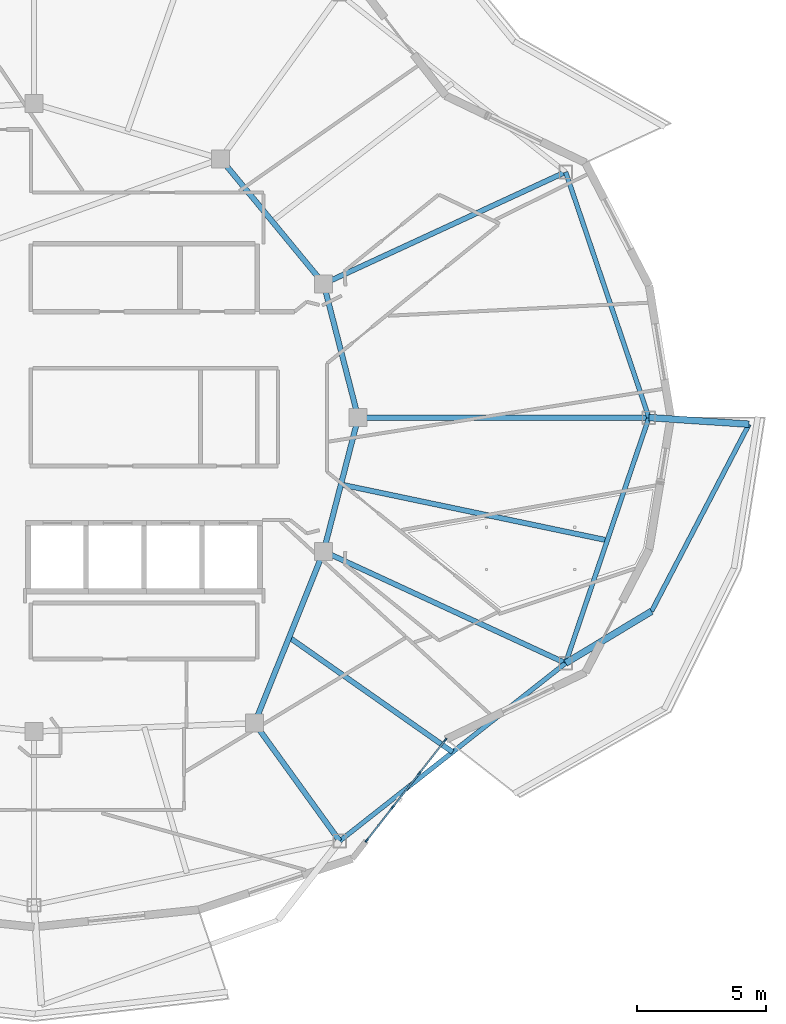
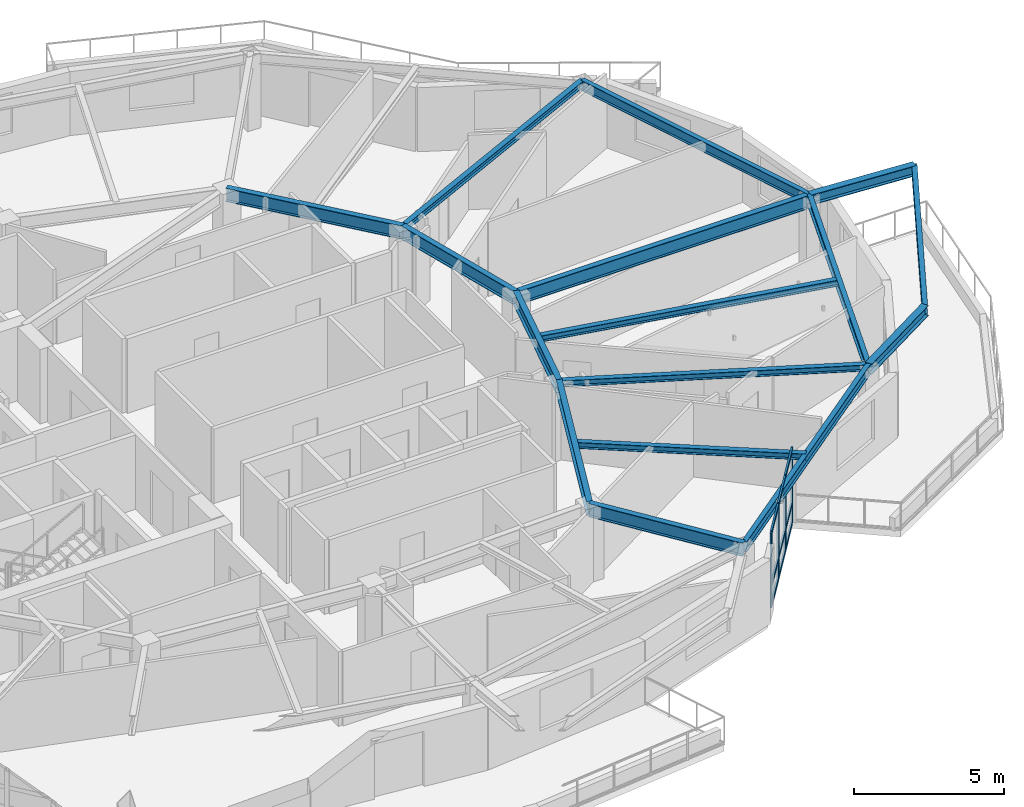
# One storey, part 4 of 16: 16 beams, 13 members, 1 element without a shape of its own.
"""IFC4 building model written with IfcOpenShell, lengths in metres."""

from ifc_helpers import new_model, si_unit, direction, frame, origin, origin_2d, place, context, subcontext, project, spatial, rectangle, i_section, extrude, material, layer, layer_set, material_profile, profile_set, type_object, element, aggregate, save


model = new_model("IFC4")

# Units and contexts
model_context = context("Model", 3, precision=1e-05, world=origin(), true_north=direction((0.0, 1.0)))
body_context = subcontext(model_context, "Body", "Model", "MODEL_VIEW")
ifc_project = project(units=[si_unit("LENGTHUNIT", "METRE"), si_unit("AREAUNIT", "SQUARE_METRE"), si_unit("VOLUMEUNIT", "CUBIC_METRE"), si_unit("PLANEANGLEUNIT", "RADIAN"), si_unit("MASSUNIT", "GRAM", prefix="KILO")], contexts=[model_context])

# Site, building, storey
site_placement = place(None, origin())
site = spatial("IfcSite", under=ifc_project, at=site_placement, CompositionType="ELEMENT")
building_placement = place(site_placement, origin())
building = spatial("IfcBuilding", under=site, at=building_placement, Name="Kolvaren Gate Tower and Convention Centre", CompositionType="ELEMENT")
storey_placement = place(building_placement, frame((0.0, 0.0, 219.5)))
storey = spatial("IfcBuildingStorey", under=building, at=storey_placement, Name="L58", CompositionType="ELEMENT", Elevation=219.5)

# Curtain wall, members
ifc_material_1 = material(Name="Anodized Architectural Aluminium Alloy 6063-T6", Category="aluminium")
ifc_layer = layer(ifc_material_1, 0.159912109375)
ifc_layer_set = layer_set([ifc_layer], Name="Anodized Architectural Aluminium Alloy 6063-T6")
curtain_wall_type = type_object("IfcCurtainWallType", Name="CW-RES-UNIT", PredefinedType="NOTDEFINED", material=ifc_layer_set)
curtain_wall_placement = place(storey_placement, origin())
curtain_wall = element("IfcCurtainWall", 1, at=curtain_wall_placement, inside=storey, type_object=curtain_wall_type, Name="Tower L58 Unitised Curtain Wall CW-RES-UNIT Bay 20", PredefinedType="NOTDEFINED")
ifc_material_profile_1 = material_profile(ifc_material_1, rectangle(XDim=0.06494140625, YDim=0.159912109375, at=origin_2d()), Name="CW-MEM-MUL-160")
ifc_profile_set_1 = profile_set([ifc_material_profile_1], Name="Anodized Architectural Aluminium Alloy 6063-T6")
member_type_1 = type_object("IfcMemberType", Name="CW-MEM-MUL-160", PredefinedType="MULLION", material=ifc_profile_set_1)
member_1_placement = place(storey_placement, frame((43.06005859375, 10.568115234375, 0.0), z_axis=(0.0, 0.0, 1.0), x_axis=(-0.787404459493, 0.616436709784, 0.0)))
member_1 = element("IfcMember", 2, at=member_1_placement, type_object=member_type_1, Name="CW-04 mullion 1", PredefinedType="MULLION", context=body_context, shape_type="SweptSolid", body=[
    extrude(rectangle(XDim=0.06494140625, YDim=0.159912109375, at=origin_2d()), origin(), (0.0, 0.0, 1.0), 3.030029296875),
])
member_2_placement = place(storey_placement, frame((44.07080078125, 11.859130859375, 0.0), z_axis=(0.0, 0.0, 1.0), x_axis=(-0.787404459493, 0.616436709784, 0.0)))
member_2 = element("IfcMember", 3, at=member_2_placement, type_object=member_type_1, Name="CW-04 mullion 2", PredefinedType="MULLION", context=body_context, shape_type="SweptSolid", body=[
    extrude(rectangle(XDim=0.06494140625, YDim=0.159912109375, at=origin_2d()), origin(), (0.0, 0.0, 1.0), 3.030029296875),
])
member_3_placement = place(storey_placement, frame((45.1015625, 13.176025390625, 0.0), z_axis=(0.0, 0.0, 1.0), x_axis=(-0.787404459493, 0.616436709784, 0.0)))
member_3 = element("IfcMember", 4, at=member_3_placement, type_object=member_type_1, Name="CW-04 mullion 3", PredefinedType="MULLION", context=body_context, shape_type="SweptSolid", body=[
    extrude(rectangle(XDim=0.06494140625, YDim=0.159912109375, at=origin_2d()), origin(), (0.0, 0.0, 1.0), 3.030029296875),
])
member_4_placement = place(storey_placement, frame((46.112548828125, 14.467041015625, 0.0), z_axis=(0.0, 0.0, 1.0), x_axis=(-0.787404459493, 0.616436709784, 0.0)))
member_4 = element("IfcMember", 5, at=member_4_placement, type_object=member_type_1, Name="CW-04 mullion 4", PredefinedType="MULLION", context=body_context, shape_type="SweptSolid", body=[
    extrude(rectangle(XDim=0.06494140625, YDim=0.159912109375, at=origin_2d()), origin(), (0.0, 0.0, 1.0), 3.030029296875),
])
ifc_material_profile_2 = material_profile(ifc_material_1, rectangle(XDim=0.06494140625, YDim=0.159912109375, at=origin_2d()), Name="CW-MEM-TRN-160")
ifc_profile_set_2 = profile_set([ifc_material_profile_2], Name="Anodized Architectural Aluminium Alloy 6063-T6")
member_type_2 = type_object("IfcMemberType", Name="CW-MEM-TRN-160", PredefinedType="USERDEFINED", material=ifc_profile_set_2)
member_5_placement = place(storey_placement, frame((43.080078125, 10.59375, 0.032470703125), z_axis=(0.616416943475, 0.787419933579, 0.0), x_axis=(-0.787419933579, 0.616416943475, 0.0)))
member_5 = element("IfcMember", 6, at=member_5_placement, type_object=member_type_2, Name="CW-04 transom 1.1", ObjectType="TRANSOM", PredefinedType="USERDEFINED", context=body_context, shape_type="SweptSolid", body=[
    extrude(rectangle(XDim=0.06494140625, YDim=0.159912109375, at=origin_2d()), origin(), (0.0, 0.0, 1.0), 1.57470703125),
])
member_6_placement = place(storey_placement, frame((43.080078125, 10.59375, 0.85009765625), z_axis=(0.616416943475, 0.787419933579, 0.0), x_axis=(-0.787419933579, 0.616416943475, 0.0)))
member_6 = element("IfcMember", 7, at=member_6_placement, type_object=member_type_2, Name="CW-04 transom 1.2", ObjectType="TRANSOM", PredefinedType="USERDEFINED", context=body_context, shape_type="SweptSolid", body=[
    extrude(rectangle(XDim=0.06494140625, YDim=0.159912109375, at=origin_2d()), origin(), (0.0, 0.0, 1.0), 1.57470703125),
])
member_7_placement = place(storey_placement, frame((43.080078125, 10.59375, 2.99755859375), z_axis=(0.616416943475, 0.787419933579, 0.0), x_axis=(-0.787419933579, 0.616416943475, 0.0)))
member_7 = element("IfcMember", 8, at=member_7_placement, type_object=member_type_2, Name="CW-04 transom 1.3", ObjectType="TRANSOM", PredefinedType="USERDEFINED", context=body_context, shape_type="SweptSolid", body=[
    extrude(rectangle(XDim=0.06494140625, YDim=0.159912109375, at=origin_2d()), origin(), (0.0, 0.0, 1.0), 1.57470703125),
])
member_8_placement = place(storey_placement, frame((44.0908203125, 11.884765625, 0.032470703125), z_axis=(0.616398363045, 0.787434478567, 0.0), x_axis=(-0.787434478567, 0.616398363045, 0.0)))
member_8 = element("IfcMember", 9, at=member_8_placement, type_object=member_type_2, Name="CW-04 transom 2.1", ObjectType="TRANSOM", PredefinedType="USERDEFINED", context=body_context, shape_type="SweptSolid", body=[
    extrude(rectangle(XDim=0.06494140625, YDim=0.159912109375, at=origin_2d()), origin(), (0.0, 0.0, 1.0), 1.607177734375),
])
member_9_placement = place(storey_placement, frame((44.0908203125, 11.884765625, 0.85009765625), z_axis=(0.616398363045, 0.787434478567, 0.0), x_axis=(-0.787434478567, 0.616398363045, 0.0)))
member_9 = element("IfcMember", 10, at=member_9_placement, type_object=member_type_2, Name="CW-04 transom 2.2", ObjectType="TRANSOM", PredefinedType="USERDEFINED", context=body_context, shape_type="SweptSolid", body=[
    extrude(rectangle(XDim=0.06494140625, YDim=0.159912109375, at=origin_2d()), origin(), (0.0, 0.0, 1.0), 1.607177734375),
])
member_10_placement = place(storey_placement, frame((44.0908203125, 11.884765625, 2.99755859375), z_axis=(0.616398363045, 0.787434478567, 0.0), x_axis=(-0.787434478567, 0.616398363045, 0.0)))
member_10 = element("IfcMember", 11, at=member_10_placement, type_object=member_type_2, Name="CW-04 transom 2.3", ObjectType="TRANSOM", PredefinedType="USERDEFINED", context=body_context, shape_type="SweptSolid", body=[
    extrude(rectangle(XDim=0.06494140625, YDim=0.159912109375, at=origin_2d()), origin(), (0.0, 0.0, 1.0), 1.607177734375),
])
member_11_placement = place(storey_placement, frame((45.12158203125, 13.20166015625, 0.032470703125), z_axis=(0.616588309904, 0.7872857525, 0.0), x_axis=(-0.7872857525, 0.616588309904, 0.0)))
member_11 = element("IfcMember", 12, at=member_11_placement, type_object=member_type_2, Name="CW-04 transom 3.1", ObjectType="TRANSOM", PredefinedType="USERDEFINED", context=body_context, shape_type="SweptSolid", body=[
    extrude(rectangle(XDim=0.06494140625, YDim=0.159912109375, at=origin_2d()), origin(), (0.0, 0.0, 1.0), 1.57470703125),
])
member_12_placement = place(storey_placement, frame((45.12158203125, 13.20166015625, 0.85009765625), z_axis=(0.616588309904, 0.7872857525, 0.0), x_axis=(-0.7872857525, 0.616588309904, 0.0)))
member_12 = element("IfcMember", 13, at=member_12_placement, type_object=member_type_2, Name="CW-04 transom 3.2", ObjectType="TRANSOM", PredefinedType="USERDEFINED", context=body_context, shape_type="SweptSolid", body=[
    extrude(rectangle(XDim=0.06494140625, YDim=0.159912109375, at=origin_2d()), origin(), (0.0, 0.0, 1.0), 1.57470703125),
])
member_13_placement = place(storey_placement, frame((45.12158203125, 13.20166015625, 2.99755859375), z_axis=(0.616588309904, 0.7872857525, 0.0), x_axis=(-0.7872857525, 0.616588309904, 0.0)))
member_13 = element("IfcMember", 14, at=member_13_placement, type_object=member_type_2, Name="CW-04 transom 3.3", ObjectType="TRANSOM", PredefinedType="USERDEFINED", context=body_context, shape_type="SweptSolid", body=[
    extrude(rectangle(XDim=0.06494140625, YDim=0.159912109375, at=origin_2d()), origin(), (0.0, 0.0, 1.0), 1.57470703125),
])
aggregate(curtain_wall, [member_1, member_2, member_3, member_4, member_5, member_6, member_7, member_8, member_9, member_10, member_11, member_12, member_13])

# Beams
ifc_material_2 = material(Name="Structural steel ASTM A992 Grade 345 MPa", Category="steel")
ifc_material_profile_3 = material_profile(ifc_material_2, i_section(OverallWidth=0.260009765625, OverallDepth=0.419921875, WebThickness=0.013427734375, FlangeThickness=0.0224609375, at=origin_2d()), Name="W410X132")
ifc_profile_set_3 = profile_set([ifc_material_profile_3], Name="Structural steel ASTM A992 Grade 345 MPa")
beam_type_1 = type_object("IfcBeamType", Name="STR-BM-W410X132", PredefinedType="BEAM", material=ifc_profile_set_3)
for number, where, z_axis, x_axis, name in (
    (15, (50.787353515625, 17.456298828125, 2.820556640625), (0.856097890351, 0.516813701575, 0.0), (-0.516813701575, 0.856097890351, 0.0), "Tower L59 Planted Balcony Outrigger Cantilever BC-4A"),
    (16, (54.02490234375, 27.0, 2.820556640625), (0.997825138942, -0.065916554034, 0.0), (0.065916554034, 0.997825138942, 0.0), "Tower L59 Planted Balcony Outrigger Cantilever BC-4B"),
):
    element("IfcBeam", number, at=place(storey_placement, frame(where, z_axis=z_axis, x_axis=x_axis)), inside=storey, type_object=beam_type_1, Name=name, PredefinedType="BEAM", context=body_context, shape_type="SweptSolid", body=[
        extrude(i_section(OverallWidth=0.260009765625, OverallDepth=0.419921875, WebThickness=0.013427734375, FlangeThickness=0.0224609375, at=origin_2d()), origin(), (0.0, 0.0, 1.0), 3.900146484375),
    ])
ifc_material_profile_4 = material_profile(ifc_material_2, i_section(OverallWidth=0.2119140625, OverallDepth=0.5439453125, WebThickness=0.01318359375, FlangeThickness=0.021240234375, at=origin_2d()), Name="W530X123")
ifc_profile_set_4 = profile_set([ifc_material_profile_4], Name="Structural steel ASTM A992 Grade 345 MPa")
beam_type_2 = type_object("IfcBeamType", Name="STR-BM-W530X123", PredefinedType="BEAM", material=ifc_profile_set_4)
beam_1_placement = place(storey_placement, frame((42.72509765625, 27.0, 2.758056640625), z_axis=(-0.250091133936, -0.968222301296, 0.0), x_axis=(0.968222301296, -0.250091133936, 0.0)))
element("IfcBeam", 17, at=beam_1_placement, inside=storey, type_object=beam_type_2, Name="Tower L58 Primary Ring Girder G-01", PredefinedType="BEAM", context=body_context, shape_type="SweptSolid", body=[
    extrude(i_section(OverallWidth=0.2119140625, OverallDepth=0.5439453125, WebThickness=0.01318359375, FlangeThickness=0.021240234375, at=origin_2d()), origin(), (0.0, 0.0, 1.0), 5.3701171875),
])
beam_2_placement = place(storey_placement, frame((41.382080078125, 32.199462890625, 2.758056640625), z_axis=(-0.635884066011, 0.771784590798, 0.0), x_axis=(-0.771784590798, -0.635884066011, 0.0)))
element("IfcBeam", 18, at=beam_2_placement, inside=storey, type_object=beam_type_2, Name="Tower L58 Primary Ring Girder G-02", PredefinedType="BEAM", context=body_context, shape_type="SweptSolid", body=[
    extrude(i_section(OverallWidth=0.2119140625, OverallDepth=0.5439453125, WebThickness=0.01318359375, FlangeThickness=0.021240234375, at=origin_2d()), origin(), (0.0, 0.0, 1.0), 6.291259765625),
])
beam_3_placement = place(storey_placement, frame((38.6982421875, 15.12060546875, 2.758056640625), z_axis=(0.372811100169, 0.927907260232, 0.0), x_axis=(-0.927907260232, 0.372811100169, 0.0)))
element("IfcBeam", 19, at=beam_3_placement, inside=storey, type_object=beam_type_2, Name="Tower L58 Primary Ring Girder G-09", PredefinedType="BEAM", context=body_context, shape_type="SweptSolid", body=[
    extrude(i_section(OverallWidth=0.2119140625, OverallDepth=0.5439453125, WebThickness=0.01318359375, FlangeThickness=0.021240234375, at=origin_2d()), origin(), (0.0, 0.0, 1.0), 7.198974609375),
])
beam_4_placement = place(storey_placement, frame((42.72509765625, 27.0, 2.758056640625), z_axis=(-0.250091133936, 0.968222301296, 0.0), x_axis=(-0.968222301296, -0.250091133936, 0.0)))
element("IfcBeam", 20, at=beam_4_placement, inside=storey, type_object=beam_type_2, Name="Tower L58 Primary Ring Girder G-12", PredefinedType="BEAM", context=body_context, shape_type="SweptSolid", body=[
    extrude(i_section(OverallWidth=0.2119140625, OverallDepth=0.5439453125, WebThickness=0.01318359375, FlangeThickness=0.021240234375, at=origin_2d()), origin(), (0.0, 0.0, 1.0), 5.3701171875),
])
beam_5_placement = place(storey_placement, frame((42.72509765625, 27.0, 2.758056640625), z_axis=(1.0, 0.0, 0.0), x_axis=(0.0, 1.0, 0.0)))
element("IfcBeam", 21, at=beam_5_placement, inside=storey, type_object=beam_type_2, Name="Tower L58 Radial Floor Girder RB-01", PredefinedType="BEAM", context=body_context, shape_type="SweptSolid", body=[
    extrude(i_section(OverallWidth=0.2119140625, OverallDepth=0.5439453125, WebThickness=0.01318359375, FlangeThickness=0.021240234375, at=origin_2d()), origin(), (0.0, 0.0, 1.0), 11.2998046875),
])
beam_6_placement = place(storey_placement, frame((38.6982421875, 15.12060546875, 2.758056640625), z_axis=(0.585218993275, -0.810875286286, 0.0), x_axis=(0.810875286286, 0.585218993275, 0.0)))
element("IfcBeam", 22, at=beam_6_placement, inside=storey, type_object=beam_type_2, Name="Tower L58 Radial Floor Girder RB-11", PredefinedType="BEAM", context=body_context, shape_type="SweptSolid", body=[
    extrude(i_section(OverallWidth=0.2119140625, OverallDepth=0.5439453125, WebThickness=0.01318359375, FlangeThickness=0.021240234375, at=origin_2d()), origin(), (0.0, 0.0, 1.0), 5.646484375),
])
ifc_material_profile_5 = material_profile(ifc_material_2, i_section(OverallWidth=0.202880859375, OverallDepth=0.251953125, WebThickness=0.008056640625, FlangeThickness=0.013427734375, at=origin_2d()), Name="W250X58")
ifc_profile_set_5 = profile_set([ifc_material_profile_5], Name="Structural steel ASTM A992 Grade 345 MPa")
beam_type_3 = type_object("IfcBeamType", Name="STR-JS-W250X58", PredefinedType="JOIST", material=ifc_profile_set_5)
for number, where, z_axis, x_axis, name in (
    (23, (41.382080078125, 32.199462890625, 2.904052734375), (0.907836575129, 0.419324162025, 0.0), (-0.419324162025, 0.907836575129, 0.0), "Tower L58 Radial Floor Girder RB-02"),
    (24, (41.382080078125, 21.800537109375, 2.904052734375), (0.907836575129, -0.419324162025, 0.0), (0.419324162025, 0.907836575129, 0.0), "Tower L58 Radial Floor Girder RB-12"),
):
    element("IfcBeam", number, at=place(storey_placement, frame(where, z_axis=z_axis, x_axis=x_axis)), inside=storey, type_object=beam_type_3, Name=name, PredefinedType="JOIST", context=body_context, shape_type="SweptSolid", body=[
        extrude(i_section(OverallWidth=0.202880859375, OverallDepth=0.251953125, WebThickness=0.008056640625, FlangeThickness=0.013427734375, at=origin_2d()), origin(), (0.0, 0.0, 1.0), 10.360107421875),
    ])
beam_7_placement = place(storey_placement, frame((40.040283203125, 18.46044921875, 2.904052734375), z_axis=(0.81845266589, -0.574573958423, 0.0), x_axis=(0.574573958423, 0.81845266589, 0.0)))
element("IfcBeam", 25, at=beam_7_placement, inside=storey, type_object=beam_type_3, Name="Tower L58 Secondary Composite Floor Joist J-11.1", PredefinedType="JOIST", context=body_context, shape_type="SweptSolid", body=[
    extrude(i_section(OverallWidth=0.202880859375, OverallDepth=0.251953125, WebThickness=0.008056640625, FlangeThickness=0.013427734375, at=origin_2d()), origin(), (0.0, 0.0, 1.0), 7.764404296875),
])
beam_8_placement = place(storey_placement, frame((42.0537109375, 24.400146484375, 2.904052734375), z_axis=(0.978694513543, -0.205321818519, 0.0), x_axis=(0.205321818519, 0.978694513543, 0.0)))
element("IfcBeam", 26, at=beam_8_placement, inside=storey, type_object=beam_type_3, Name="Tower L58 Secondary Composite Floor Joist J-12.1", PredefinedType="JOIST", context=body_context, shape_type="SweptSolid", body=[
    extrude(i_section(OverallWidth=0.202880859375, OverallDepth=0.251953125, WebThickness=0.008056640625, FlangeThickness=0.013427734375, at=origin_2d()), origin(), (0.0, 0.0, 1.0), 10.577880859375),
])
ifc_material_profile_6 = material_profile(ifc_material_2, i_section(OverallWidth=0.180908203125, OverallDepth=0.4169921875, WebThickness=0.010986328125, FlangeThickness=0.018310546875, at=origin_2d()), Name="W410X85")
ifc_profile_set_6 = profile_set([ifc_material_profile_6], Name="Structural steel ASTM A992 Grade 345 MPa")
beam_type_4 = type_object("IfcBeamType", Name="STR-SP-W410X85", PredefinedType="SPANDREL", material=ifc_profile_set_6)
beam_9_placement = place(storey_placement, frame((54.02490234375, 27.0, 2.821533203125), z_axis=(-0.321252507379, 0.946993572577, 0.0), x_axis=(-0.946993572577, -0.321252507379, 0.0)))
element("IfcBeam", 27, at=beam_9_placement, inside=storey, type_object=beam_type_4, Name="Tower L58 Perimeter Spandrel Beam SP-01", PredefinedType="SPANDREL", context=body_context, shape_type="SweptSolid", body=[
    extrude(i_section(OverallWidth=0.180908203125, OverallDepth=0.4169921875, WebThickness=0.010986328125, FlangeThickness=0.018310546875, at=origin_2d()), origin(), (0.0, 0.0, 1.0), 10.077880859375),
])
beam_10_placement = place(storey_placement, frame((42.002685546875, 10.5419921875, 2.821533203125), z_axis=(0.78579365551, 0.618488747643, 0.0), x_axis=(-0.618488747643, 0.78579365551, 0.0)))
element("IfcBeam", 28, at=beam_10_placement, inside=storey, type_object=beam_type_4, Name="Tower L58 Perimeter Spandrel Beam SP-11", PredefinedType="SPANDREL", context=body_context, shape_type="SweptSolid", body=[
    extrude(i_section(OverallWidth=0.180908203125, OverallDepth=0.4169921875, WebThickness=0.010986328125, FlangeThickness=0.018310546875, at=origin_2d()), origin(), (0.0, 0.0, 1.0), 11.179443359375),
])
beam_11_placement = place(storey_placement, frame((50.787353515625, 17.456298828125, 2.821533203125), z_axis=(0.321252507379, 0.946993572577, 0.0), x_axis=(-0.946993572577, 0.321252507379, 0.0)))
element("IfcBeam", 29, at=beam_11_placement, inside=storey, type_object=beam_type_4, Name="Tower L58 Perimeter Spandrel Beam SP-12", PredefinedType="SPANDREL", context=body_context, shape_type="SweptSolid", body=[
    extrude(i_section(OverallWidth=0.180908203125, OverallDepth=0.4169921875, WebThickness=0.010986328125, FlangeThickness=0.018310546875, at=origin_2d()), origin(), (0.0, 0.0, 1.0), 10.077880859375),
])
beam_12_placement = place(storey_placement, frame((54.126220703125, 19.471923828125, 2.822021484375), z_axis=(0.462251551917, 0.886748838595, 0.0), x_axis=(-0.886748838595, 0.462251551917, 0.0)))
element("IfcBeam", 30, at=beam_12_placement, inside=storey, type_object=beam_type_4, Name="Tower L59 Planted Balcony Header Tie Beam BT-4", PredefinedType="SPANDREL", context=body_context, shape_type="SweptSolid", body=[
    extrude(i_section(OverallWidth=0.180908203125, OverallDepth=0.4169921875, WebThickness=0.010986328125, FlangeThickness=0.018310546875, at=origin_2d()), origin(), (0.0, 0.0, 1.0), 8.19970703125),
])

save(model, "model.ifc")
